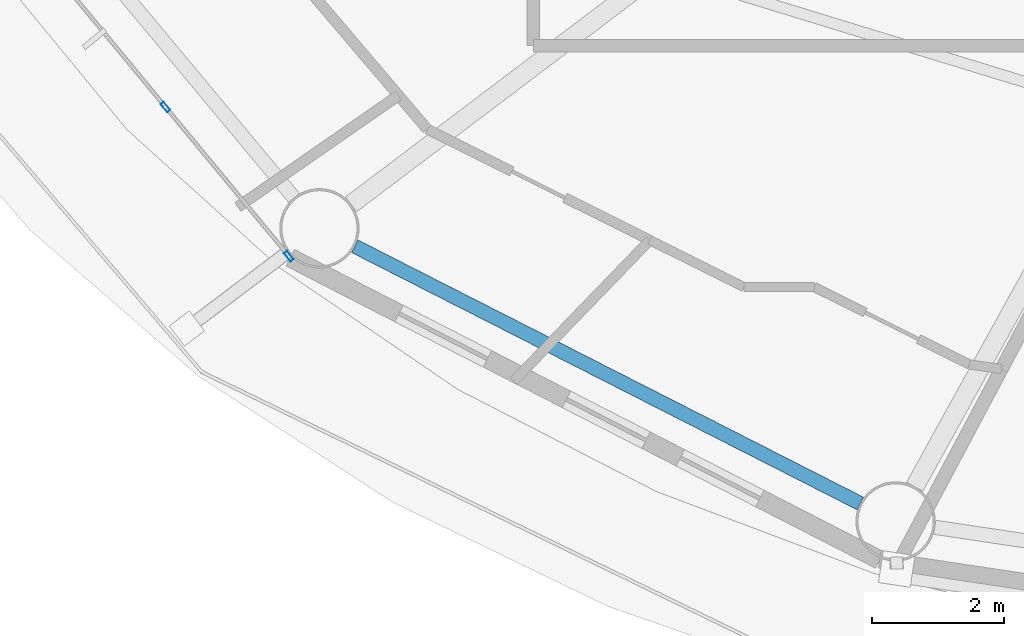
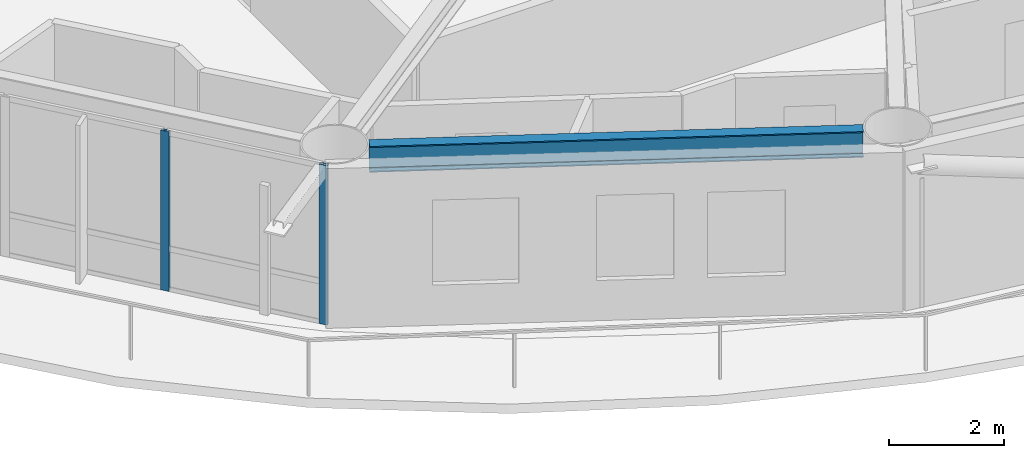
# One storey, part 2 of 27: 2 members, 1 beam, 1 element without a shape of its own.
"""IFC4 building model written with IfcOpenShell, lengths in metres."""

import ifcopenshell
import ifcopenshell.guid

model = None  # the IFC model being written
_history = None  # IfcOwnerHistory: only IFC2X3 demands one
_inside = {}  # id of a spatial element -> (the spatial element, [elements in it])
_under = {}  # id of a project, library or spatial element -> (it, [spatial elements below it])
_declared = {}  # id of a project -> (the project, [libraries it declares])
_typed = {}  # id of a type object -> (the type object, [elements of that type])
_made_of = {}  # id of a material, layer set ... -> (it, [elements and type objects made of it])


def new_model(schema):
    """Start an empty IFC model of exactly this schema.

    Asked for "IFC4X3", IfcOpenShell would pick the latest addendum, in which some entities
    have other attributes; the version numbers below select the first issue.
    IFC2X3 requires an IfcOwnerHistory on every rooted entity: one is made here for all.
    """
    global model, _history
    if schema == "IFC4X3":
        model = ifcopenshell.file(schema_version=(4, 3, 0, 0))
    else:
        model = ifcopenshell.file(schema=schema)
    _inside.clear()
    _under.clear()
    _declared.clear()
    _typed.clear()
    _made_of.clear()
    _history = None
    if model.schema == "IFC2X3":
        org = make("IfcOrganization", Name="unknown")
        user = make(
            "IfcPersonAndOrganization",
            ThePerson=make("IfcPerson", FamilyName="unknown"),
            TheOrganization=org,
        )
        app = make(
            "IfcApplication",
            ApplicationDeveloper=org,
            Version="unknown",
            ApplicationFullName="unknown",
            ApplicationIdentifier="unknown",
        )
        _history = make(
            "IfcOwnerHistory",
            OwningUser=user,
            OwningApplication=app,
            ChangeAction="ADDED",
            CreationDate=0,
        )
    return model


def make(cls, **values):
    """One entity of the class cls with the attributes given. An attribute that is None is left unset."""
    return model.create_entity(
        cls, **{name: value for name, value in values.items() if value is not None}
    )


def rooted(cls, **values):
    """An entity with a GlobalId (a new one), such as an element, a storey or a relation."""
    return make(cls, GlobalId=ifcopenshell.guid.new(), OwnerHistory=_history, **values)


def si_unit(unit_type, name, prefix=None):
    """IfcSIUnit, for example si_unit("LENGTHUNIT", "METRE", prefix="MILLI")."""
    return make("IfcSIUnit", UnitType=unit_type, Prefix=prefix, Name=name)


def assignment(units):
    """IfcUnitAssignment: the units of a project."""
    return None if units is None else make("IfcUnitAssignment", Units=units)


def point(xyz):
    """IfcCartesianPoint."""
    return None if xyz is None else make("IfcCartesianPoint", Coordinates=xyz)


def direction(xyz):
    """IfcDirection."""
    return None if xyz is None else make("IfcDirection", DirectionRatios=xyz)


def frame(location, z_axis=None, x_axis=None):
    """IfcAxis2Placement3D, a coordinate frame: its origin and axes. An axis left out is left unset."""
    return make(
        "IfcAxis2Placement3D",
        Location=point(location),
        Axis=direction(z_axis),
        RefDirection=direction(x_axis),
    )


def frame_2d(location, x_axis=None):
    """IfcAxis2Placement2D, a coordinate frame in the plane: its origin and x axis."""
    return make(
        "IfcAxis2Placement2D", Location=point(location), RefDirection=direction(x_axis)
    )


def origin():
    """The frame at (0, 0, 0) with its axes left unset."""
    return frame((0.0, 0.0, 0.0))


def origin_2d():
    """The frame at (0, 0) in the plane with its x axis left unset."""
    return frame_2d((0.0, 0.0))


def place(relative_to, where):
    """IfcLocalPlacement: puts the frame where relative to a parent placement (None: the world)."""
    return make(
        "IfcLocalPlacement", PlacementRelTo=relative_to, RelativePlacement=where
    )


def context(
    kind, dimensions, precision=None, world=None, true_north=None, identifier=None
):
    """IfcGeometricRepresentationContext, for example the 3D "Model" context."""
    return make(
        "IfcGeometricRepresentationContext",
        ContextIdentifier=identifier,
        ContextType=kind,
        CoordinateSpaceDimension=dimensions,
        Precision=precision,
        WorldCoordinateSystem=world,
        TrueNorth=true_north,
    )


def subcontext(parent, identifier, kind, view, scale=None):
    """IfcGeometricRepresentationSubContext, for example "Body" below "Model"."""
    return make(
        "IfcGeometricRepresentationSubContext",
        ContextIdentifier=identifier,
        ContextType=kind,
        ParentContext=parent,
        TargetScale=scale,
        TargetView=view,
    )


def project(units=None, contexts=None):
    """IfcProject with its units and contexts."""
    return rooted(
        "IfcProject",
        Name="project",
        RepresentationContexts=contexts,
        UnitsInContext=assignment(units),
    )


def spatial(cls, under=None, at=None, **own):
    """A site, building, storey or space (cls), placed at a placement, below another one or the project."""
    s = rooted(cls, ObjectPlacement=at, **own)
    if under is not None:
        _under.setdefault(under.id(), (under, []))[1].append(s)
    return s


def profile(cls, at=None, kind="AREA", **sizes):
    """A parametric profile (cls). Its sizes go by their IFC names, for example OverallWidth=200.0."""
    return make(cls, ProfileType=kind, Position=at, **sizes)


def hollow_rectangle(**sizes):
    """IfcRectangleHollowProfileDef."""
    return profile("IfcRectangleHollowProfileDef", **sizes)


def i_section(**sizes):
    """IfcIShapeProfileDef."""
    return profile("IfcIShapeProfileDef", **sizes)


def extrude(swept, where, along, depth):
    """IfcExtrudedAreaSolid: the profile swept, set in the frame where, extruded along a direction by depth."""
    return make(
        "IfcExtrudedAreaSolid",
        SweptArea=swept,
        Position=where,
        ExtrudedDirection=direction(along),
        Depth=depth,
    )


def shape(context_of_items, identifier, shape_type, items):
    """IfcShapeRepresentation: the items that make up one representation, for example the "Body"."""
    return make(
        "IfcShapeRepresentation",
        ContextOfItems=context_of_items,
        RepresentationIdentifier=identifier,
        RepresentationType=shape_type,
        Items=items,
    )


def material(Name=None, Category=None):
    """IfcMaterial."""
    return make("IfcMaterial", Name=Name, Category=Category)


def layer(
    of_material, thickness, ventilated=None, Name=None, Category=None, Priority=None
):
    """IfcMaterialLayer: one layer of a wall or slab, of a material (None: an air gap)."""
    return make(
        "IfcMaterialLayer",
        Material=of_material,
        LayerThickness=thickness,
        IsVentilated=ventilated,
        Name=Name,
        Category=Category,
        Priority=Priority,
    )


def layer_set(layers, Name=None):
    """IfcMaterialLayerSet."""
    return make("IfcMaterialLayerSet", MaterialLayers=layers, LayerSetName=Name)


def material_profile(
    of_material, cross_section, Name=None, Category=None, Priority=None
):
    """IfcMaterialProfile: a cross section and its material."""
    return make(
        "IfcMaterialProfile",
        Name=Name,
        Material=of_material,
        Profile=cross_section,
        Priority=Priority,
        Category=Category,
    )


def profile_set(profiles, Name=None, composite=None):
    """IfcMaterialProfileSet."""
    return make(
        "IfcMaterialProfileSet",
        Name=Name,
        MaterialProfiles=profiles,
        CompositeProfile=composite,
    )


def made_of(thing, what):
    """Note that an element or type object is made of a material, layer set ...; save() writes the relation."""
    if what is not None:
        _made_of.setdefault(what.id(), (what, []))[1].append(thing)
    return thing


def type_object(cls, material=None, **own):
    """A type object (cls), such as IfcWallType, which elements share."""
    return made_of(rooted(cls, **own), material)


def element(
    cls,
    number,
    at=None,
    inside=None,
    cuts=None,
    type_object=None,
    material=None,
    context=None,
    identifier="Body",
    shape_type=None,
    held_by="IfcProductDefinitionShape",
    body=None,
    shapes=None,
    **own,
):
    """One element of the class cls, such as IfcWall. Its Tag is "e" and its number.

    at: its placement. inside: the storey or other place that contains it. cuts: it is an
    opening in that element (IfcRelVoidsElement). A single representation is given by context,
    identifier, shape_type and body (its items); several are given by shapes. held_by: the class
    of the entity that holds the representations. save() writes the other relations.
    """
    e = rooted(cls, Tag="e%d" % number, ObjectPlacement=at, **own)
    if body is not None:
        shapes = [shape(context, identifier, shape_type, body)]
    if shapes is not None:
        e.Representation = make(held_by, Representations=shapes)
    if inside is not None:
        _inside.setdefault(inside.id(), (inside, []))[1].append(e)
    if cuts is not None:
        rooted(
            "IfcRelVoidsElement", RelatingBuildingElement=cuts, RelatedOpeningElement=e
        )
    if type_object is not None:
        _typed.setdefault(type_object.id(), (type_object, []))[1].append(e)
    return made_of(e, material)


def aggregate(whole, parts):
    """IfcRelAggregates: a whole, such as a stair, and the parts it consists of."""
    return rooted("IfcRelAggregates", RelatingObject=whole, RelatedObjects=parts)


def save(model, path):
    """Write the relations noted so far, then the file.

    IfcRelAggregates (storeys below a building ...), IfcRelContainedInSpatialStructure (elements
    in a storey), IfcRelDefinesByType, IfcRelAssociatesMaterial and IfcRelDeclares: one each for
    every whole, place, type object, material and project.
    """
    for whole, parts in _under.values():
        aggregate(whole, parts)
    for where, things in _inside.values():
        rooted(
            "IfcRelContainedInSpatialStructure",
            RelatedElements=things,
            RelatingStructure=where,
        )
    for kind, things in _typed.values():
        rooted("IfcRelDefinesByType", RelatedObjects=things, RelatingType=kind)
    for what, things in _made_of.values():
        rooted("IfcRelAssociatesMaterial", RelatedObjects=things, RelatingMaterial=what)
    for by, libraries in _declared.values():
        rooted("IfcRelDeclares", RelatingContext=by, RelatedDefinitions=libraries)
    model.write(path)


model = new_model("IFC4")

# Units and contexts
model_context = context("Model", 3, precision=1e-05, world=origin(), true_north=direction((0.0, 1.0)))
body_context = subcontext(model_context, "Body", "Model", "MODEL_VIEW")
ifc_project = project(units=[si_unit("LENGTHUNIT", "METRE"), si_unit("AREAUNIT", "SQUARE_METRE"), si_unit("VOLUMEUNIT", "CUBIC_METRE"), si_unit("PLANEANGLEUNIT", "RADIAN"), si_unit("MASSUNIT", "GRAM", prefix="KILO")], contexts=[model_context])

# Site, building, storey
site_placement = place(None, origin())
site = spatial("IfcSite", under=ifc_project, at=site_placement, CompositionType="ELEMENT")
building_placement = place(site_placement, origin())
building = spatial("IfcBuilding", under=site, at=building_placement, Name="Sarneth Arch Tower", CompositionType="ELEMENT")
storey_placement = place(building_placement, frame((0.0, 0.0, 193.800048828125)))
storey = spatial("IfcBuildingStorey", under=building, at=storey_placement, Name="L49", CompositionType="ELEMENT", Elevation=193.800048828125)

# Beam
ifc_material_1 = material(Name="Steel S355", Category="steel")
ifc_material_profile_1 = material_profile(ifc_material_1, i_section(OverallWidth=0.214111328125, OverallDepth=0.549072265625, WebThickness=0.0146484375, FlangeThickness=0.023681640625, FilletRadius=0.01806640625, at=origin_2d()), Name="W530x138")
ifc_profile_set_1 = profile_set([ifc_material_profile_1], Name="Steel S355")
beam_type = type_object("IfcBeamType", Name="BM-RAD-530A", PredefinedType="BEAM", material=ifc_profile_set_1)
beam_placement = place(storey_placement, frame((29.40087890625, 27.267578125, 3.10546875), z_axis=(0.891250372735, -0.453511601945, 0.0), x_axis=(0.453511601945, 0.891250372735, 0.0)))
element("IfcBeam", 1, at=beam_placement, inside=storey, type_object=beam_type, Name="L49 Perimeter spandrel beam 11", PredefinedType="BEAM", context=body_context, shape_type="SweptSolid", body=[
    extrude(i_section(OverallWidth=0.214111328125, OverallDepth=0.549072265625, WebThickness=0.0146484375, FlangeThickness=0.023681640625, FilletRadius=0.01806640625, at=origin_2d()), origin(), (0.0, 0.0, 1.0), 8.5751953125),
])

# Curtain wall, members
ifc_material_2 = material(Name="Anodised aluminium Type AA25 and solar-control low-e laminated IGU", Category="aluminium")
ifc_layer = layer(ifc_material_2, 0.169921875)
ifc_layer_set = layer_set([ifc_layer], Name="Anodised aluminium Type AA25 and solar-control low-e laminated IGU")
curtain_wall_type = type_object("IfcCurtainWallType", Name="CW-RES-MID", PredefinedType="NOTDEFINED", material=ifc_layer_set)
curtain_wall_placement = place(storey_placement, origin())
curtain_wall = element("IfcCurtainWall", 2, at=curtain_wall_placement, inside=storey, type_object=curtain_wall_type, Name="L49 Unitised curtain wall facet 10", PredefinedType="NOTDEFINED")
ifc_material_3 = material(Name="Anodised Aluminium 6063-T6", Category="aluminium")
ifc_material_profile_2 = material_profile(ifc_material_3, hollow_rectangle(XDim=0.06005859375, YDim=0.159912109375, WallThickness=0.00390625, at=origin_2d()), Name="AL-MULL-160x60x4")
ifc_profile_set_2 = profile_set([ifc_material_profile_2], Name="Anodised Aluminium 6063-T6")
member_type = type_object("IfcMemberType", Name="CW-MULLION", PredefinedType="MULLION", material=ifc_profile_set_2)
member_1_placement = place(storey_placement, frame((26.53857421875, 29.373779296875, 0.0), z_axis=(0.0, 0.0, 1.0), x_axis=(0.770590741276, 0.637330298558, 0.0)))
member_1 = element("IfcMember", 3, at=member_1_placement, type_object=member_type, Name="CW-SYS-5 mullion 3", PredefinedType="MULLION", context=body_context, shape_type="SweptSolid", body=[
    extrude(hollow_rectangle(XDim=0.06005859375, YDim=0.159912109375, WallThickness=0.00390625, at=origin_2d()), origin(), (0.0, 0.0, 1.0), 3.3798828125),
])
member_2_placement = place(storey_placement, frame((28.40478515625, 27.1171875, 0.0), z_axis=(0.0, 0.0, 1.0), x_axis=(0.770590741276, 0.637330298558, 0.0)))
member_2 = element("IfcMember", 4, at=member_2_placement, type_object=member_type, Name="CW-SYS-5 mullion 4", PredefinedType="MULLION", context=body_context, shape_type="SweptSolid", body=[
    extrude(hollow_rectangle(XDim=0.06005859375, YDim=0.159912109375, WallThickness=0.00390625, at=origin_2d()), origin(), (0.0, 0.0, 1.0), 3.3798828125),
])
aggregate(curtain_wall, [member_1, member_2])

save(model, "model.ifc")
